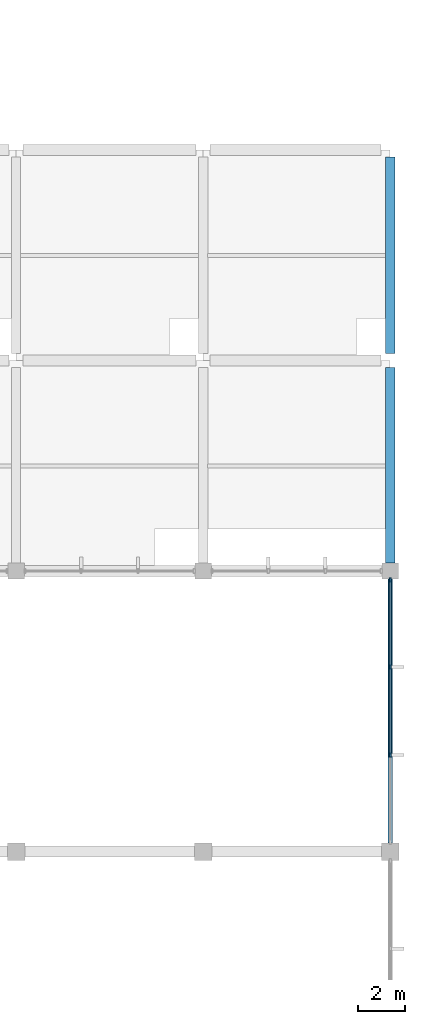
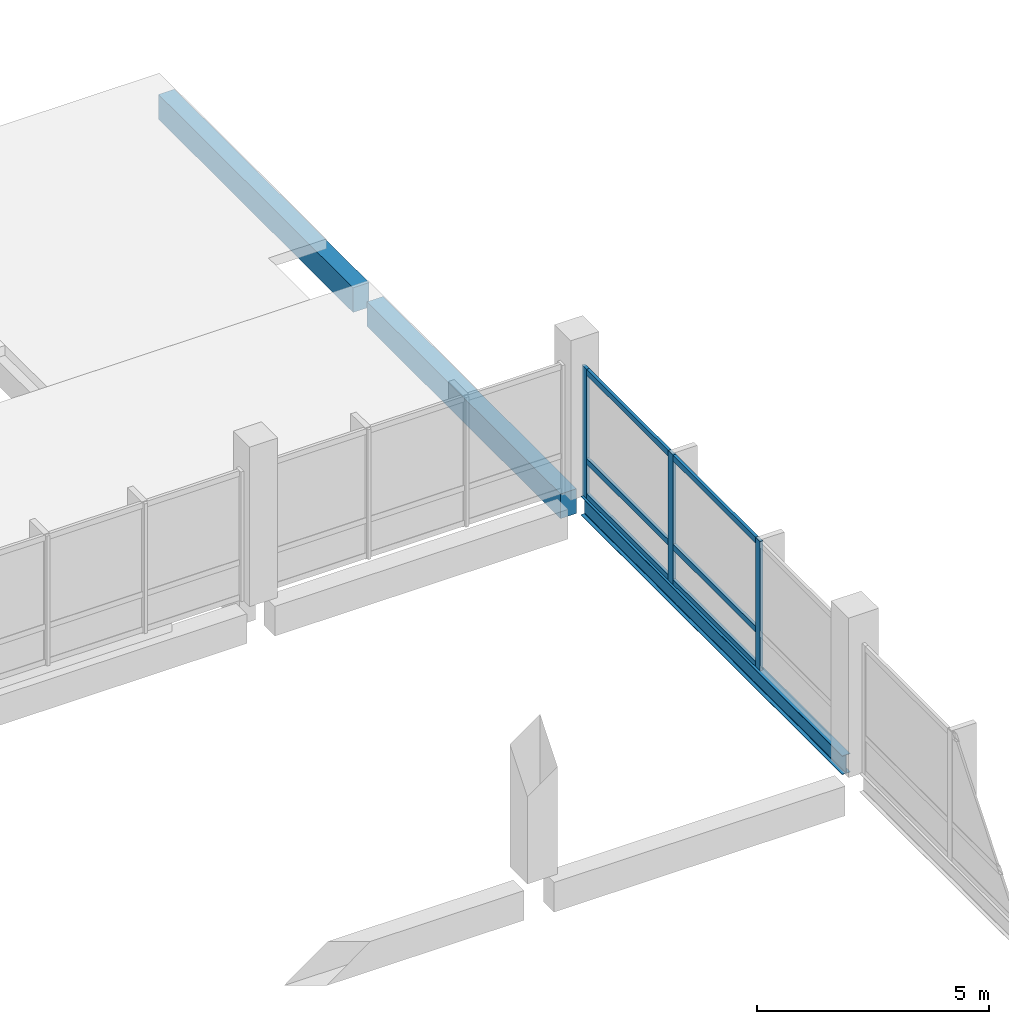
# One storey, part 42 of 70: 9 members, 3 beams, 1 element without a shape of its own.
"""IFC4 building model written with IfcOpenShell, lengths in metres."""

from ifc_helpers import new_model, si_unit, direction, frame, origin, origin_2d, place, context, subcontext, project, spatial, rectangle, i_section, extrude, material, material_profile, profile_set, type_object, element, aggregate, save


model = new_model("IFC4")

# Units and contexts
model_context = context("Model", 3, precision=1e-05, world=origin(), true_north=direction((0.0, 1.0)))
body_context = subcontext(model_context, "Body", "Model", "MODEL_VIEW")
ifc_project = project(units=[si_unit("LENGTHUNIT", "METRE"), si_unit("AREAUNIT", "SQUARE_METRE"), si_unit("VOLUMEUNIT", "CUBIC_METRE"), si_unit("PLANEANGLEUNIT", "RADIAN"), si_unit("MASSUNIT", "GRAM", prefix="KILO"), si_unit("THERMODYNAMICTEMPERATUREUNIT", "KELVIN"), si_unit("POWERUNIT", "WATT")], contexts=[model_context])

# Site, building, storey
site_placement = place(None, origin())
site = spatial("IfcSite", under=ifc_project, at=site_placement, CompositionType="ELEMENT")
building_placement = place(site_placement, origin())
building = spatial("IfcBuilding", under=site, at=building_placement, Name="Kronsvod Quay Wholesale Market", CompositionType="ELEMENT")
storey_placement = place(building_placement, frame((0.0, 0.0, 9.0)))
storey = spatial("IfcBuildingStorey", under=building, at=storey_placement, Name="L02", CompositionType="ELEMENT", Elevation=9.0)

# Beams
ifc_material_1 = material(Name="Precast concrete C40/50", Category="concrete")
ifc_material_profile_1 = material_profile(ifc_material_1, rectangle(XDim=0.39990234375, YDim=0.64990234375, at=origin_2d()), Name="PCB400x650")
ifc_profile_set_1 = profile_set([ifc_material_profile_1], Name="Precast concrete C40/50")
beam_type_1 = type_object("IfcBeamType", Name="Beam_PCB400x650", PredefinedType="BEAM", material=ifc_profile_set_1)
beam_1_placement = place(storey_placement, frame((192.0, 90.35009765625, -0.635009765625), z_axis=(0.0, 1.0, 0.0), x_axis=(-1.0, 0.0, 0.0)))
element("IfcBeam", 1, at=beam_1_placement, inside=storey, type_object=beam_type_1, Name="BMY-L02-1920-900", PredefinedType="BEAM", context=body_context, shape_type="SweptSolid", body=[
    extrude(rectangle(XDim=0.39990234375, YDim=0.64990234375, at=origin_2d()), origin(), (0.0, 0.0, 1.0), 8.349853515625),
])
beam_2_placement = place(storey_placement, frame((192.0, 99.300048828125, -0.635009765625), z_axis=(0.0, 1.0, 0.0), x_axis=(-1.0, 0.0, 0.0)))
element("IfcBeam", 2, at=beam_2_placement, inside=storey, type_object=beam_type_1, Name="BMY-L02-1920-990", PredefinedType="BEAM", context=body_context, shape_type="SweptSolid", body=[
    extrude(rectangle(XDim=0.39990234375, YDim=0.64990234375, at=origin_2d()), origin(), (0.0, 0.0, 1.0), 8.39990234375),
])
ifc_material_2 = material(Name="Steel S355", Category="steel")
ifc_material_profile_2 = material_profile(ifc_material_2, i_section(OverallWidth=0.198974609375, OverallDepth=0.49609375, WebThickness=0.009033203125, FlangeThickness=0.013916015625, FilletRadius=0.02001953125, at=origin_2d()), Name="50B1")
ifc_profile_set_2 = profile_set([ifc_material_profile_2], Name="Steel S355")
beam_type_2 = type_object("IfcBeamType", Name="Girder_Steel50B1", PredefinedType="T_BEAM", material=ifc_profile_set_2)
beam_3_placement = place(storey_placement, frame((192.0, 78.375, -0.22802734375), z_axis=(0.0, 1.0, 0.0), x_axis=(-1.0, 0.0, 0.0)))
element("IfcBeam", 3, at=beam_3_placement, inside=storey, type_object=beam_type_2, Name="BMY-L02-1920-780", PredefinedType="T_BEAM", context=body_context, shape_type="SweptSolid", body=[
    extrude(i_section(OverallWidth=0.198974609375, OverallDepth=0.49609375, WebThickness=0.009033203125, FlangeThickness=0.013916015625, FilletRadius=0.02001953125, at=origin_2d()), origin(), (0.0, 0.0, 1.0), 11.27490234375),
])

# Curtain wall, members
ifc_material_3 = material(Name="Thermally broken aluminium and triple low-E glazing", Category="aluminium")
curtain_wall_type = type_object("IfcCurtainWallType", Name="CW_Flower120x32", PredefinedType="NOTDEFINED", material=ifc_material_3)
curtain_wall_placement = place(storey_placement, origin())
curtain_wall = element("IfcCurtainWall", 4, at=curtain_wall_placement, inside=storey, type_object=curtain_wall_type, Name="CWGY-L02-1920-780", PredefinedType="NOTDEFINED")
ifc_material_4 = material(Name="Anodised aluminium", Category="aluminium")
ifc_material_profile_3 = material_profile(ifc_material_4, rectangle(XDim=0.074951171875, YDim=0.199951171875, at=origin_2d()), Name="ALUM75x200")
ifc_profile_set_3 = profile_set([ifc_material_profile_3], Name="Anodised aluminium")
member_type_1 = type_object("IfcMemberType", Name="Mullion_ALU75x200", PredefinedType="MULLION", material=ifc_profile_set_3)
member_1_placement = place(storey_placement, frame((192.0, 82.131591796875, 0.0), z_axis=(0.0, 0.0, 1.0), x_axis=(1.0, 0.0, 0.0)))
member_1 = element("IfcMember", 5, at=member_1_placement, type_object=member_type_1, Name="CWGY-L02-1920-780-M2", PredefinedType="MULLION", context=body_context, shape_type="SweptSolid", body=[
    extrude(rectangle(XDim=0.074951171875, YDim=0.199951171875, at=origin_2d()), origin(), (0.0, 0.0, 1.0), 3.419921875),
])
member_2_placement = place(storey_placement, frame((192.0, 85.893310546875, 0.0), z_axis=(0.0, 0.0, 1.0), x_axis=(1.0, 0.0, 0.0)))
member_2 = element("IfcMember", 6, at=member_2_placement, type_object=member_type_1, Name="CWGY-L02-1920-780-M3", PredefinedType="MULLION", context=body_context, shape_type="SweptSolid", body=[
    extrude(rectangle(XDim=0.074951171875, YDim=0.199951171875, at=origin_2d()), origin(), (0.0, 0.0, 1.0), 3.419921875),
])
member_3_placement = place(storey_placement, frame((192.0, 89.617431640625, 0.0), z_axis=(0.0, 0.0, 1.0), x_axis=(1.0, 0.0, 0.0)))
member_3 = element("IfcMember", 7, at=member_3_placement, type_object=member_type_1, Name="CWGY-L02-1920-780-M4", PredefinedType="MULLION", context=body_context, shape_type="SweptSolid", body=[
    extrude(rectangle(XDim=0.074951171875, YDim=0.199951171875, at=origin_2d()), origin(), (0.0, 0.0, 1.0), 3.419921875),
])
ifc_material_5 = material(Name="Anodised aluminium", Category="aluminium")
ifc_material_profile_4 = material_profile(ifc_material_5, rectangle(XDim=0.074951171875, YDim=0.14990234375, at=origin_2d()), Name="ALUT75x150")
ifc_profile_set_4 = profile_set([ifc_material_profile_4], Name="Anodised aluminium")
member_type_2 = type_object("IfcMemberType", Name="Transom_ALU75x150", PredefinedType="USERDEFINED", material=ifc_profile_set_4)
member_4_placement = place(storey_placement, frame((192.0, 82.169189453125, 0.074951171875), z_axis=(0.0, 1.0, 0.0), x_axis=(-1.0, 0.0, 0.0)))
member_4 = element("IfcMember", 8, at=member_4_placement, type_object=member_type_2, Name="CWGY-L02-1920-780-T1B2", ObjectType="TRANSOM", PredefinedType="USERDEFINED", context=body_context, shape_type="SweptSolid", body=[
    extrude(rectangle(XDim=0.074951171875, YDim=0.14990234375, at=origin_2d()), origin(), (0.0, 0.0, 1.0), 3.6865234375),
])
member_5_placement = place(storey_placement, frame((192.0, 85.930908203125, 0.074951171875), z_axis=(0.0, 1.0, 0.0), x_axis=(-1.0, 0.0, 0.0)))
member_5 = element("IfcMember", 9, at=member_5_placement, type_object=member_type_2, Name="CWGY-L02-1920-780-T1B3", ObjectType="TRANSOM", PredefinedType="USERDEFINED", context=body_context, shape_type="SweptSolid", body=[
    extrude(rectangle(XDim=0.074951171875, YDim=0.14990234375, at=origin_2d()), origin(), (0.0, 0.0, 1.0), 3.649169921875),
])
member_6_placement = place(storey_placement, frame((192.0, 82.169189453125, 1.0), z_axis=(0.0, 1.0, 0.0), x_axis=(-1.0, 0.0, 0.0)))
member_6 = element("IfcMember", 10, at=member_6_placement, type_object=member_type_2, Name="CWGY-L02-1920-780-T2B2", ObjectType="TRANSOM", PredefinedType="USERDEFINED", context=body_context, shape_type="SweptSolid", body=[
    extrude(rectangle(XDim=0.074951171875, YDim=0.14990234375, at=origin_2d()), origin(), (0.0, 0.0, 1.0), 3.6865234375),
])
member_7_placement = place(storey_placement, frame((192.0, 85.930908203125, 1.0), z_axis=(0.0, 1.0, 0.0), x_axis=(-1.0, 0.0, 0.0)))
member_7 = element("IfcMember", 11, at=member_7_placement, type_object=member_type_2, Name="CWGY-L02-1920-780-T2B3", ObjectType="TRANSOM", PredefinedType="USERDEFINED", context=body_context, shape_type="SweptSolid", body=[
    extrude(rectangle(XDim=0.074951171875, YDim=0.14990234375, at=origin_2d()), origin(), (0.0, 0.0, 1.0), 3.649169921875),
])
member_8_placement = place(storey_placement, frame((192.0, 82.169189453125, 3.344970703125), z_axis=(0.0, 1.0, 0.0), x_axis=(-1.0, 0.0, 0.0)))
member_8 = element("IfcMember", 12, at=member_8_placement, type_object=member_type_2, Name="CWGY-L02-1920-780-T3B2", ObjectType="TRANSOM", PredefinedType="USERDEFINED", context=body_context, shape_type="SweptSolid", body=[
    extrude(rectangle(XDim=0.074951171875, YDim=0.14990234375, at=origin_2d()), origin(), (0.0, 0.0, 1.0), 3.6865234375),
])
member_9_placement = place(storey_placement, frame((192.0, 85.930908203125, 3.344970703125), z_axis=(0.0, 1.0, 0.0), x_axis=(-1.0, 0.0, 0.0)))
member_9 = element("IfcMember", 13, at=member_9_placement, type_object=member_type_2, Name="CWGY-L02-1920-780-T3B3", ObjectType="TRANSOM", PredefinedType="USERDEFINED", context=body_context, shape_type="SweptSolid", body=[
    extrude(rectangle(XDim=0.074951171875, YDim=0.14990234375, at=origin_2d()), origin(), (0.0, 0.0, 1.0), 3.649169921875),
])
aggregate(curtain_wall, [member_1, member_2, member_3, member_4, member_5, member_6, member_7, member_8, member_9])

save(model, "model.ifc")
